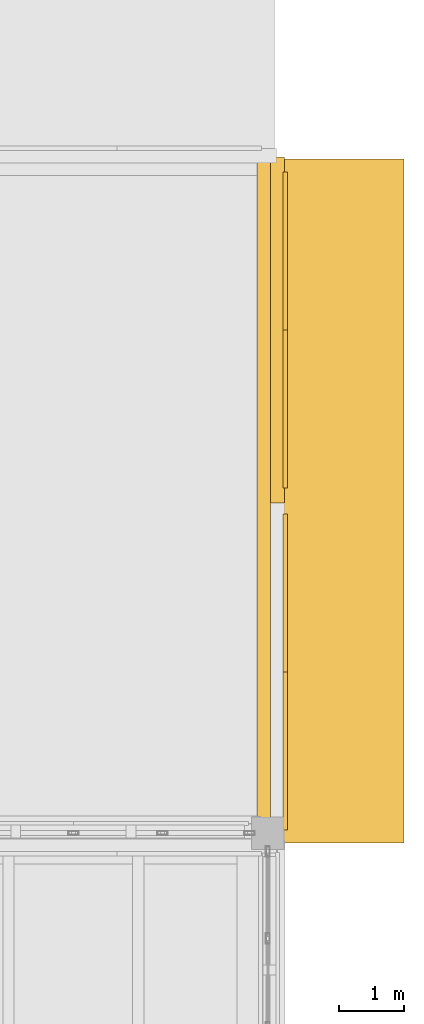
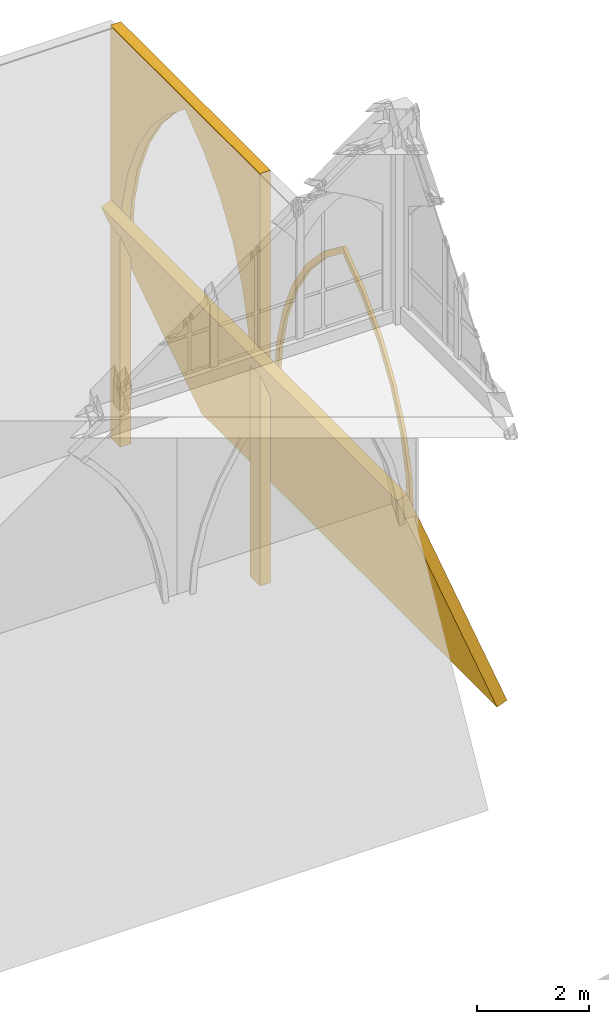
# One storey, part 142 of 143: 4 coverings.
"""IFC4 building model written with IfcOpenShell, lengths in metres."""

from ifc_helpers import new_model, si_unit, direction, frame, origin, place, context, subcontext, project, spatial, polyline, outline, extrude, material, type_object, element, save


model = new_model("IFC4")

# Units and contexts
model_context = context("Model", 3, precision=1e-05, world=origin(), true_north=direction((0.0, 1.0)))
body_context = subcontext(model_context, "Body", "Model", "MODEL_VIEW")
ifc_project = project(units=[si_unit("LENGTHUNIT", "METRE"), si_unit("AREAUNIT", "SQUARE_METRE"), si_unit("VOLUMEUNIT", "CUBIC_METRE"), si_unit("PLANEANGLEUNIT", "RADIAN"), si_unit("MASSUNIT", "GRAM", prefix="KILO")], contexts=[model_context])

# Site, building, storey
site_placement = place(None, origin())
site = spatial("IfcSite", under=ifc_project, at=site_placement, CompositionType="ELEMENT")
building_placement = place(site_placement, origin())
building = spatial("IfcBuilding", under=site, at=building_placement, Name="Cumevento Cable Car Station", CompositionType="ELEMENT")
storey_placement = place(building_placement, frame((0.0, 0.0, 9.0)))
storey = spatial("IfcBuildingStorey", under=building, at=storey_placement, Name="L03", CompositionType="ELEMENT", Elevation=9.0)

# Coverings
ifc_material = material(Name="Gnaisse Facoidal Stone Ashlar 85 MPa", Category="masonry")
covering_type = type_object("IfcCoveringType", Name="Gnaisse Ashlar Cladding CV-CL01", PredefinedType="CLADDING", material=ifc_material)
covering_1_placement = place(storey_placement, frame((166.10009765625, 50.125, -4.5400390625), z_axis=(0.0, 0.0, 1.0), x_axis=(0.0, -1.0, 0.0)))
element("IfcCovering", 1, at=covering_1_placement, inside=storey, type_object=covering_type, Name="Gothic Pointed Archivolt Hood Moulding cumevento_plinth:bank_arch:SLOPE_DEP_N:E:0", PredefinedType="CLADDING", context=body_context, shape_type="SweptSolid", body=[
    extrude(outline(polyline([(0.320068359375, 0.0), (0.389892578125, 0.841552734375), (0.59716796875, 1.66015625), (0.9365234375, 2.43359375), (1.398681640625, 3.140380859375), (1.970947265625, 3.761474609375), (2.637451171875, 4.280029296875), (3.303955078125, 3.761474609375), (3.876220703125, 3.140380859375), (4.33837890625, 2.43359375), (4.677734375, 1.66015625), (4.885009765625, 0.841552734375), (4.955078125, 0.0), (5.075927734375, 0.0), (5.00244140625, 0.87548828125), (4.78369140625, 1.726318359375), (4.426025390625, 2.529052734375), (3.939453125, 3.260498046875), (3.337646484375, 3.900634765625), (2.637451171875, 4.43115234375), (1.937255859375, 3.900634765625), (1.33544921875, 3.260498046875), (0.848876953125, 2.529052734375), (0.4912109375, 1.726318359375), (0.2724609375, 0.87548828125), (0.198974609375, 0.0), (0.320068359375, 0.0)])), frame((0.0, 0.201904296875, 0.0), z_axis=(0.0, -1.0, 0.0), x_axis=(1.0, 0.0, 0.0)), (0.0, 0.0, 1.0), 0.06689453125),
])
covering_2_placement = place(storey_placement, frame((166.10009765625, 55.39990234375, -9.02001953125), z_axis=(0.0, 0.0, 1.0), x_axis=(0.0, -1.0, 0.0)))
element("IfcCovering", 2, at=covering_2_placement, inside=storey, type_object=covering_type, Name="Gothic Ogival Pointed-Arch Stone Spandrel cumevento_plinth:bank_arch:SLOPE_DEP_N:E:1", PredefinedType="CLADDING", context=body_context, shape_type="SweptSolid", body=[
    extrude(outline(polyline([(-0.030029296875, 0.0), (-0.030029296875, 8.97998046875), (5.304931640625, 8.97998046875), (5.304931640625, 0.0), (4.955078125, 0.0), (4.955078125, 4.47998046875), (4.885009765625, 5.321533203125), (4.677734375, 6.14013671875), (4.33837890625, 6.91357421875), (3.876220703125, 7.620361328125), (3.303955078125, 8.241455078125), (2.637451171875, 8.760009765625), (1.970947265625, 8.241455078125), (1.398681640625, 7.620361328125), (0.9365234375, 6.91357421875), (0.59716796875, 6.14013671875), (0.389892578125, 5.321533203125), (0.320068359375, 4.47998046875), (0.320068359375, 0.0), (-0.030029296875, 0.0)])), frame((0.0, 0.159912109375, 0.0), z_axis=(0.0, -1.0, 0.0), x_axis=(1.0, 0.0, 0.0)), (0.0, 0.0, 1.0), 0.219970703125),
])
covering_3_placement = place(storey_placement, frame((166.10009765625, 55.39990234375, -4.5400390625), z_axis=(0.0, 0.0, 1.0), x_axis=(0.0, -1.0, 0.0)))
element("IfcCovering", 3, at=covering_3_placement, inside=storey, type_object=covering_type, Name="Gothic Pointed Archivolt Hood Moulding cumevento_plinth:bank_arch:SLOPE_DEP_N:E:1", PredefinedType="CLADDING", context=body_context, shape_type="SweptSolid", body=[
    extrude(outline(polyline([(0.320068359375, 0.0), (0.389892578125, 0.841552734375), (0.59716796875, 1.66015625), (0.9365234375, 2.43359375), (1.398681640625, 3.140380859375), (1.970947265625, 3.761474609375), (2.637451171875, 4.280029296875), (3.303955078125, 3.761474609375), (3.876220703125, 3.140380859375), (4.33837890625, 2.43359375), (4.677734375, 1.66015625), (4.885009765625, 0.841552734375), (4.955078125, 0.0), (5.075927734375, 0.0), (5.00244140625, 0.87548828125), (4.78369140625, 1.726318359375), (4.426025390625, 2.529052734375), (3.939453125, 3.260498046875), (3.337646484375, 3.900634765625), (2.637451171875, 4.43115234375), (1.937255859375, 3.900634765625), (1.33544921875, 3.260498046875), (0.848876953125, 2.529052734375), (0.4912109375, 1.726318359375), (0.2724609375, 0.87548828125), (0.198974609375, 0.0), (0.320068359375, 0.0)])), frame((0.0, 0.201904296875, 0.0), z_axis=(0.0, -1.0, 0.0), x_axis=(1.0, 0.0, 0.0)), (0.0, 0.0, 1.0), 0.06689453125),
])
covering_4_placement = place(storey_placement, frame((168.10009765625, 44.85009765625, -9.0400390625), z_axis=(0.930030307606, 0.0, 0.367482825361), x_axis=(0.0, 1.0, 0.0)))
element("IfcCovering", 4, at=covering_4_placement, inside=storey, type_object=covering_type, Name="Sloped Gnaisse Hillside Talus SLOPE_DEP_N E", PredefinedType="CLADDING", context=body_context, shape_type="SweptSolid", body=[
    extrude(outline(polyline([(0.0, 0.0), (10.5498046875, 0.0), (10.5498046875, 5.605863598464504), (0.0, 5.605863598464504), (0.0, 0.0)])), origin(), (0.0, 0.0, -1.0), 0.219970703125),
])

save(model, "model.ifc")
